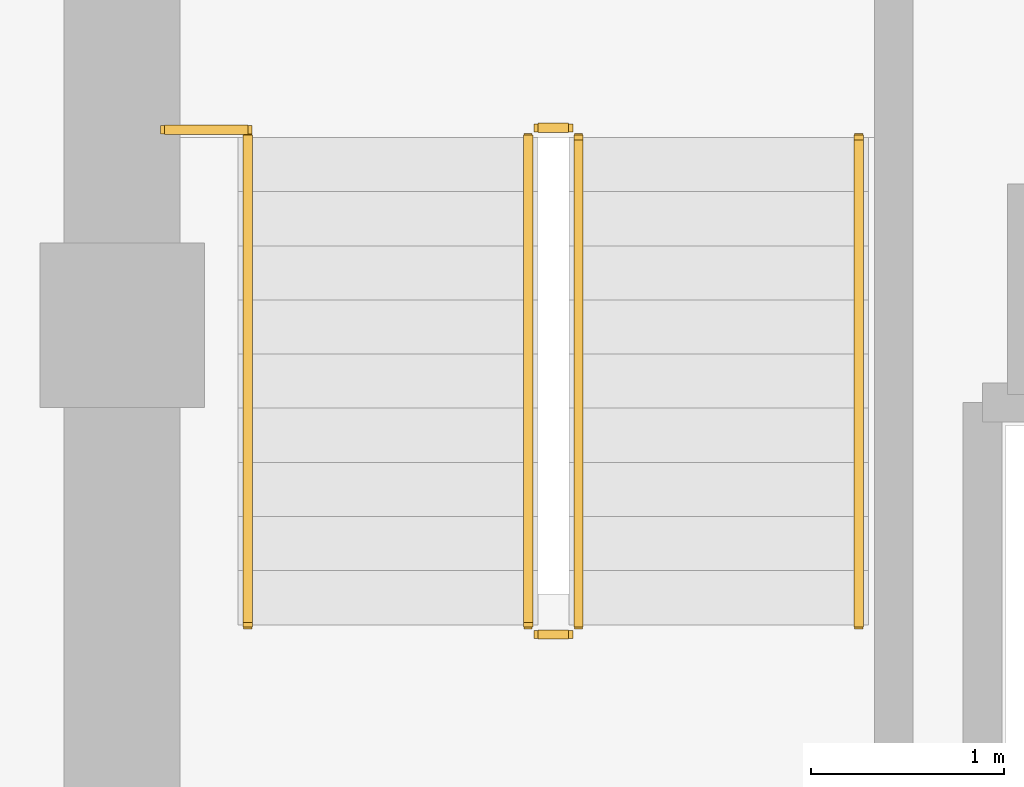
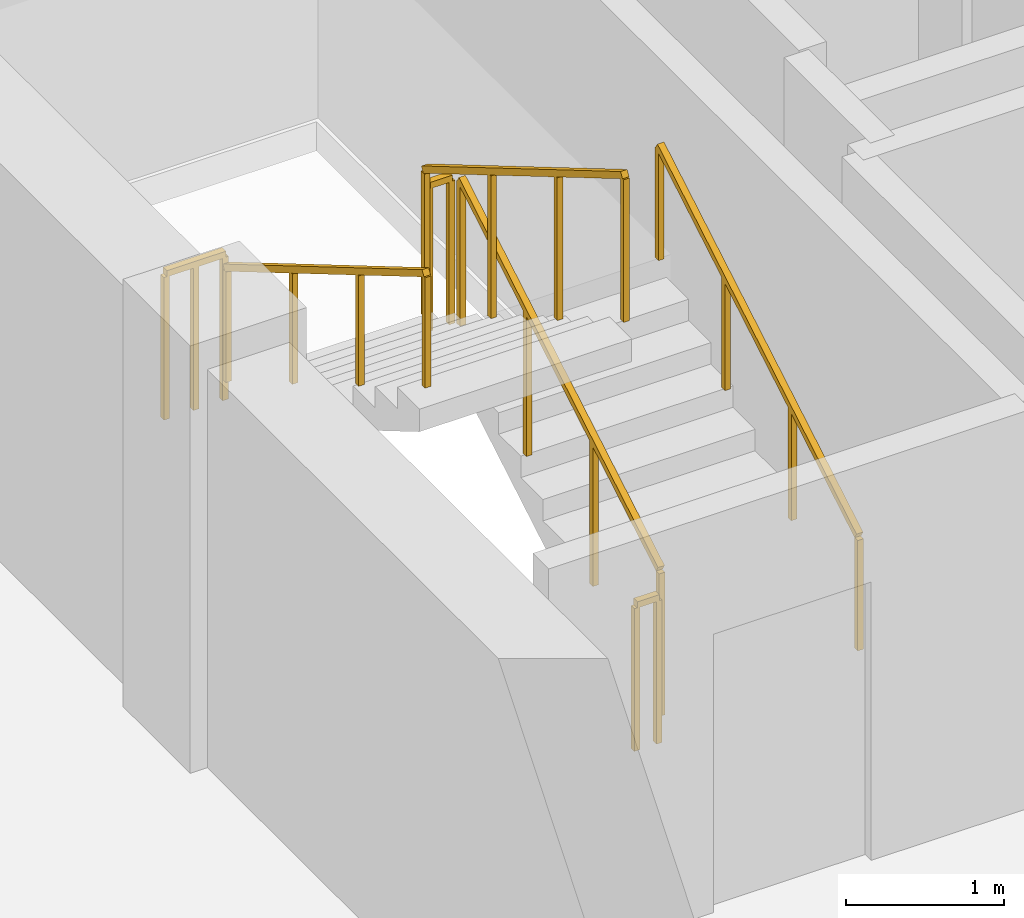
# One storey, part 27 of 29: 7 railings.
"""IFC4 building model written with IfcOpenShell, lengths in metres."""

import ifcopenshell
import ifcopenshell.guid

model = None  # the IFC model being written
_history = None  # IfcOwnerHistory: only IFC2X3 demands one
_inside = {}  # id of a spatial element -> (the spatial element, [elements in it])
_under = {}  # id of a project, library or spatial element -> (it, [spatial elements below it])
_declared = {}  # id of a project -> (the project, [libraries it declares])
_typed = {}  # id of a type object -> (the type object, [elements of that type])
_made_of = {}  # id of a material, layer set ... -> (it, [elements and type objects made of it])


def new_model(schema):
    """Start an empty IFC model of exactly this schema.

    Asked for "IFC4X3", IfcOpenShell would pick the latest addendum, in which some entities
    have other attributes; the version numbers below select the first issue.
    IFC2X3 requires an IfcOwnerHistory on every rooted entity: one is made here for all.
    """
    global model, _history
    if schema == "IFC4X3":
        model = ifcopenshell.file(schema_version=(4, 3, 0, 0))
    else:
        model = ifcopenshell.file(schema=schema)
    _inside.clear()
    _under.clear()
    _declared.clear()
    _typed.clear()
    _made_of.clear()
    _history = None
    if model.schema == "IFC2X3":
        org = make("IfcOrganization", Name="unknown")
        user = make(
            "IfcPersonAndOrganization",
            ThePerson=make("IfcPerson", FamilyName="unknown"),
            TheOrganization=org,
        )
        app = make(
            "IfcApplication",
            ApplicationDeveloper=org,
            Version="unknown",
            ApplicationFullName="unknown",
            ApplicationIdentifier="unknown",
        )
        _history = make(
            "IfcOwnerHistory",
            OwningUser=user,
            OwningApplication=app,
            ChangeAction="ADDED",
            CreationDate=0,
        )
    return model


def make(cls, **values):
    """One entity of the class cls with the attributes given. An attribute that is None is left unset."""
    return model.create_entity(
        cls, **{name: value for name, value in values.items() if value is not None}
    )


def rooted(cls, **values):
    """An entity with a GlobalId (a new one), such as an element, a storey or a relation."""
    return make(cls, GlobalId=ifcopenshell.guid.new(), OwnerHistory=_history, **values)


def si_unit(unit_type, name, prefix=None):
    """IfcSIUnit, for example si_unit("LENGTHUNIT", "METRE", prefix="MILLI")."""
    return make("IfcSIUnit", UnitType=unit_type, Prefix=prefix, Name=name)


def assignment(units):
    """IfcUnitAssignment: the units of a project."""
    return None if units is None else make("IfcUnitAssignment", Units=units)


def point(xyz):
    """IfcCartesianPoint."""
    return None if xyz is None else make("IfcCartesianPoint", Coordinates=xyz)


def direction(xyz):
    """IfcDirection."""
    return None if xyz is None else make("IfcDirection", DirectionRatios=xyz)


def frame(location, z_axis=None, x_axis=None):
    """IfcAxis2Placement3D, a coordinate frame: its origin and axes. An axis left out is left unset."""
    return make(
        "IfcAxis2Placement3D",
        Location=point(location),
        Axis=direction(z_axis),
        RefDirection=direction(x_axis),
    )


def frame_2d(location, x_axis=None):
    """IfcAxis2Placement2D, a coordinate frame in the plane: its origin and x axis."""
    return make(
        "IfcAxis2Placement2D", Location=point(location), RefDirection=direction(x_axis)
    )


def origin():
    """The frame at (0, 0, 0) with its axes left unset."""
    return frame((0.0, 0.0, 0.0))


def origin_2d():
    """The frame at (0, 0) in the plane with its x axis left unset."""
    return frame_2d((0.0, 0.0))


def place(relative_to, where):
    """IfcLocalPlacement: puts the frame where relative to a parent placement (None: the world)."""
    return make(
        "IfcLocalPlacement", PlacementRelTo=relative_to, RelativePlacement=where
    )


def context(
    kind, dimensions, precision=None, world=None, true_north=None, identifier=None
):
    """IfcGeometricRepresentationContext, for example the 3D "Model" context."""
    return make(
        "IfcGeometricRepresentationContext",
        ContextIdentifier=identifier,
        ContextType=kind,
        CoordinateSpaceDimension=dimensions,
        Precision=precision,
        WorldCoordinateSystem=world,
        TrueNorth=true_north,
    )


def subcontext(parent, identifier, kind, view, scale=None):
    """IfcGeometricRepresentationSubContext, for example "Body" below "Model"."""
    return make(
        "IfcGeometricRepresentationSubContext",
        ContextIdentifier=identifier,
        ContextType=kind,
        ParentContext=parent,
        TargetScale=scale,
        TargetView=view,
    )


def project(units=None, contexts=None):
    """IfcProject with its units and contexts."""
    return rooted(
        "IfcProject",
        Name="project",
        RepresentationContexts=contexts,
        UnitsInContext=assignment(units),
    )


def spatial(cls, under=None, at=None, **own):
    """A site, building, storey or space (cls), placed at a placement, below another one or the project."""
    s = rooted(cls, ObjectPlacement=at, **own)
    if under is not None:
        _under.setdefault(under.id(), (under, []))[1].append(s)
    return s


def profile(cls, at=None, kind="AREA", **sizes):
    """A parametric profile (cls). Its sizes go by their IFC names, for example OverallWidth=200.0."""
    return make(cls, ProfileType=kind, Position=at, **sizes)


def rectangle(**sizes):
    """IfcRectangleProfileDef."""
    return profile("IfcRectangleProfileDef", **sizes)


def extrude(swept, where, along, depth):
    """IfcExtrudedAreaSolid: the profile swept, set in the frame where, extruded along a direction by depth."""
    return make(
        "IfcExtrudedAreaSolid",
        SweptArea=swept,
        Position=where,
        ExtrudedDirection=direction(along),
        Depth=depth,
    )


def shape(context_of_items, identifier, shape_type, items):
    """IfcShapeRepresentation: the items that make up one representation, for example the "Body"."""
    return make(
        "IfcShapeRepresentation",
        ContextOfItems=context_of_items,
        RepresentationIdentifier=identifier,
        RepresentationType=shape_type,
        Items=items,
    )


def material(Name=None, Category=None):
    """IfcMaterial."""
    return make("IfcMaterial", Name=Name, Category=Category)


def made_of(thing, what):
    """Note that an element or type object is made of a material, layer set ...; save() writes the relation."""
    if what is not None:
        _made_of.setdefault(what.id(), (what, []))[1].append(thing)
    return thing


def type_object(cls, material=None, **own):
    """A type object (cls), such as IfcWallType, which elements share."""
    return made_of(rooted(cls, **own), material)


def element(
    cls,
    number,
    at=None,
    inside=None,
    cuts=None,
    type_object=None,
    material=None,
    context=None,
    identifier="Body",
    shape_type=None,
    held_by="IfcProductDefinitionShape",
    body=None,
    shapes=None,
    **own,
):
    """One element of the class cls, such as IfcWall. Its Tag is "e" and its number.

    at: its placement. inside: the storey or other place that contains it. cuts: it is an
    opening in that element (IfcRelVoidsElement). A single representation is given by context,
    identifier, shape_type and body (its items); several are given by shapes. held_by: the class
    of the entity that holds the representations. save() writes the other relations.
    """
    e = rooted(cls, Tag="e%d" % number, ObjectPlacement=at, **own)
    if body is not None:
        shapes = [shape(context, identifier, shape_type, body)]
    if shapes is not None:
        e.Representation = make(held_by, Representations=shapes)
    if inside is not None:
        _inside.setdefault(inside.id(), (inside, []))[1].append(e)
    if cuts is not None:
        rooted(
            "IfcRelVoidsElement", RelatingBuildingElement=cuts, RelatedOpeningElement=e
        )
    if type_object is not None:
        _typed.setdefault(type_object.id(), (type_object, []))[1].append(e)
    return made_of(e, material)


def aggregate(whole, parts):
    """IfcRelAggregates: a whole, such as a stair, and the parts it consists of."""
    return rooted("IfcRelAggregates", RelatingObject=whole, RelatedObjects=parts)


def save(model, path):
    """Write the relations noted so far, then the file.

    IfcRelAggregates (storeys below a building ...), IfcRelContainedInSpatialStructure (elements
    in a storey), IfcRelDefinesByType, IfcRelAssociatesMaterial and IfcRelDeclares: one each for
    every whole, place, type object, material and project.
    """
    for whole, parts in _under.values():
        aggregate(whole, parts)
    for where, things in _inside.values():
        rooted(
            "IfcRelContainedInSpatialStructure",
            RelatedElements=things,
            RelatingStructure=where,
        )
    for kind, things in _typed.values():
        rooted("IfcRelDefinesByType", RelatedObjects=things, RelatingType=kind)
    for what, things in _made_of.values():
        rooted("IfcRelAssociatesMaterial", RelatedObjects=things, RelatingMaterial=what)
    for by, libraries in _declared.values():
        rooted("IfcRelDeclares", RelatingContext=by, RelatedDefinitions=libraries)
    model.write(path)


model = new_model("IFC4")

# Units and contexts
model_context = context("Model", 3, precision=1e-05, world=origin(), true_north=direction((0.0, 1.0)))
body_context = subcontext(model_context, "Body", "Model", "MODEL_VIEW")
ifc_project = project(units=[si_unit("LENGTHUNIT", "METRE"), si_unit("AREAUNIT", "SQUARE_METRE"), si_unit("VOLUMEUNIT", "CUBIC_METRE"), si_unit("PLANEANGLEUNIT", "RADIAN"), si_unit("MASSUNIT", "GRAM", prefix="KILO")], contexts=[model_context])

# Site, building, storey
site_placement = place(None, origin())
site = spatial("IfcSite", under=ifc_project, at=site_placement, CompositionType="ELEMENT")
building_placement = place(site_placement, origin())
building = spatial("IfcBuilding", under=site, at=building_placement, Name="Zarnakvel Exchange Tower", CompositionType="ELEMENT")
storey_placement = place(building_placement, frame((0.0, 0.0, 258.39990234375)))
storey = spatial("IfcBuildingStorey", under=building, at=storey_placement, Name="L73", CompositionType="ELEMENT", Elevation=258.39990234375)

# Railings
ifc_material_1 = material(Name="Brushed Stainless Steel", Category="steel")
railing_type_1 = type_object("IfcRailingType", Name="HR-01", PredefinedType="HANDRAIL", material=ifc_material_1)
railing_1_placement = place(storey_placement, frame((-10.590087890625, 5.050048828125, 0.1650390625)))
element("IfcRailing", 1, at=railing_1_placement, inside=storey, type_object=railing_type_1, Name="L73 ST-01 stair handrail 1", PredefinedType="HANDRAIL", context=body_context, shape_type="SweptSolid", body=[
    extrude(rectangle(XDim=0.048095703125, YDim=0.048095703125, at=origin_2d()), frame((0.0, 0.0, 0.8759765625), z_axis=(0.0, 0.86152411907, 0.507716645641), x_axis=(-1.0, 0.0, 0.0)), (0.0, 0.0, 1.0), 2.925048828125),
    extrude(rectangle(XDim=0.0419921875, YDim=0.0419921875, at=origin_2d()), origin(), (0.0, 0.0, 1.0), 0.851806640625),
    extrude(rectangle(XDim=0.0419921875, YDim=0.0419921875, at=origin_2d()), frame((0.0, 0.840087890625, 0.4951171875)), (0.0, 0.0, 1.0), 0.851806640625),
    extrude(rectangle(XDim=0.0419921875, YDim=0.0419921875, at=origin_2d()), frame((0.0, 1.679931640625, 0.989990234375)), (0.0, 0.0, 1.0), 0.851806640625),
    extrude(rectangle(XDim=0.0419921875, YDim=0.0419921875, at=origin_2d()), frame((0.0, 2.52001953125, 1.485107421875)), (0.0, 0.0, 1.0), 0.851806640625),
])
railing_2_placement = place(storey_placement, frame((-13.75, 7.570068359375, 1.815185546875)))
element("IfcRailing", 2, at=railing_2_placement, inside=storey, type_object=railing_type_1, Name="L73 ST-01 stair handrail 2", PredefinedType="HANDRAIL", context=body_context, shape_type="SweptSolid", body=[
    extrude(rectangle(XDim=0.048095703125, YDim=0.048095703125, at=origin_2d()), frame((0.0, 0.0, 0.8759765625), z_axis=(0.0, -0.861560626758, 0.507654692109), x_axis=(1.0, 0.0, 0.0)), (0.0, 0.0, 1.0), 2.925048828125),
    extrude(rectangle(XDim=0.0419921875, YDim=0.0419921875, at=origin_2d()), origin(), (0.0, 0.0, 1.0), 0.851806640625),
    extrude(rectangle(XDim=0.0419921875, YDim=0.0419921875, at=origin_2d()), frame((0.0, -0.840087890625, 0.494873046875)), (0.0, 0.0, 1.0), 0.851806640625),
    extrude(rectangle(XDim=0.0419921875, YDim=0.0419921875, at=origin_2d()), frame((0.0, -1.679931640625, 0.989990234375)), (0.0, 0.0, 1.0), 0.851806640625),
    extrude(rectangle(XDim=0.0419921875, YDim=0.0419921875, at=origin_2d()), frame((0.0, -2.52001953125, 1.48486328125)), (0.0, 0.0, 1.0), 0.851806640625),
])
ifc_material_2 = material(Name="Architectural Bronze Anodised Aluminium", Category="aluminium")
railing_type_2 = type_object("IfcRailingType", Name="SG-01", PredefinedType="GUARDRAIL", material=ifc_material_2)
railing_3_placement = place(storey_placement, frame((-12.0400390625, 5.050048828125, 0.1650390625)))
element("IfcRailing", 3, at=railing_3_placement, inside=storey, type_object=railing_type_2, Name="L73 ST-01 stair guard 1", PredefinedType="GUARDRAIL", context=body_context, shape_type="SweptSolid", body=[
    extrude(rectangle(XDim=0.048095703125, YDim=0.048095703125, at=origin_2d()), frame((0.0, 0.0, 1.1259765625), z_axis=(0.0, 0.86152411907, 0.507716645641), x_axis=(-1.0, 0.0, 0.0)), (0.0, 0.0, 1.0), 2.925048828125),
    extrude(rectangle(XDim=0.0419921875, YDim=0.0419921875, at=origin_2d()), origin(), (0.0, 0.0, 1.0), 1.101806640625),
    extrude(rectangle(XDim=0.0419921875, YDim=0.0419921875, at=origin_2d()), frame((0.0, 0.840087890625, 0.4951171875)), (0.0, 0.0, 1.0), 1.101806640625),
    extrude(rectangle(XDim=0.0419921875, YDim=0.0419921875, at=origin_2d()), frame((0.0, 1.679931640625, 0.989990234375)), (0.0, 0.0, 1.0), 1.101806640625),
    extrude(rectangle(XDim=0.0419921875, YDim=0.0419921875, at=origin_2d()), frame((0.0, 2.52001953125, 1.485107421875)), (0.0, 0.0, 1.0), 1.101806640625),
])
railing_4_placement = place(storey_placement, frame((-12.090087890625, 7.6201171875, 1.650146484375)))
element("IfcRailing", 4, at=railing_4_placement, inside=storey, type_object=railing_type_2, Name="L73 ST-01 stair guard 2", PredefinedType="GUARDRAIL", context=body_context, shape_type="SweptSolid", body=[
    extrude(rectangle(XDim=0.048095703125, YDim=0.048095703125, at=origin_2d()), frame((0.0, 0.0, 1.1259765625), z_axis=(-1.0, 0.0, 0.0), x_axis=(0.0, -1.0, 0.0)), (0.0, 0.0, 1.0), 0.159912109375),
    extrude(rectangle(XDim=0.0419921875, YDim=0.0419921875, at=origin_2d()), origin(), (0.0, 0.0, 1.0), 1.101806640625),
    extrude(rectangle(XDim=0.0419921875, YDim=0.0419921875, at=origin_2d()), frame((-0.159912109375, 0.0, 0.0)), (0.0, 0.0, 1.0), 1.101806640625),
])
railing_5_placement = place(storey_placement, frame((-12.300048828125, 7.570068359375, 1.815185546875)))
element("IfcRailing", 5, at=railing_5_placement, inside=storey, type_object=railing_type_2, Name="L73 ST-01 stair guard 3", PredefinedType="GUARDRAIL", context=body_context, shape_type="SweptSolid", body=[
    extrude(rectangle(XDim=0.048095703125, YDim=0.048095703125, at=origin_2d()), frame((0.0, 0.0, 1.1259765625), z_axis=(0.0, -0.861560626758, 0.507654692109), x_axis=(1.0, 0.0, 0.0)), (0.0, 0.0, 1.0), 2.925048828125),
    extrude(rectangle(XDim=0.0419921875, YDim=0.0419921875, at=origin_2d()), origin(), (0.0, 0.0, 1.0), 1.101806640625),
    extrude(rectangle(XDim=0.0419921875, YDim=0.0419921875, at=origin_2d()), frame((0.0, -0.840087890625, 0.494873046875)), (0.0, 0.0, 1.0), 1.101806640625),
    extrude(rectangle(XDim=0.0419921875, YDim=0.0419921875, at=origin_2d()), frame((0.0, -1.679931640625, 0.989990234375)), (0.0, 0.0, 1.0), 1.101806640625),
    extrude(rectangle(XDim=0.0419921875, YDim=0.0419921875, at=origin_2d()), frame((0.0, -2.52001953125, 1.48486328125)), (0.0, 0.0, 1.0), 1.101806640625),
])
railing_6_placement = place(storey_placement, frame((-12.090087890625, 5.0, 0.0)))
element("IfcRailing", 6, at=railing_6_placement, inside=storey, type_object=railing_type_2, Name="L73 ST-01 stair guard 4", PredefinedType="GUARDRAIL", context=body_context, shape_type="SweptSolid", body=[
    extrude(rectangle(XDim=0.048095703125, YDim=0.048095703125, at=origin_2d()), frame((0.0, 0.0, 1.1259765625), z_axis=(-1.0, 0.0, 0.0), x_axis=(0.0, -1.0, 0.0)), (0.0, 0.0, 1.0), 0.159912109375),
    extrude(rectangle(XDim=0.0419921875, YDim=0.0419921875, at=origin_2d()), origin(), (0.0, 0.0, 1.0), 1.101806640625),
    extrude(rectangle(XDim=0.0419921875, YDim=0.0419921875, at=origin_2d()), frame((-0.159912109375, 0.0, 0.0)), (0.0, 0.0, 1.0), 1.101806640625),
])
railing_7_placement = place(storey_placement, frame((-14.179931640625, 7.610107421875, 1.650146484375)))
element("IfcRailing", 7, at=railing_7_placement, inside=storey, type_object=railing_type_2, Name="L73 ST-01 Landing Slot Guardrail", PredefinedType="GUARDRAIL", context=body_context, shape_type="SweptSolid", body=[
    extrude(rectangle(XDim=0.048095703125, YDim=0.048095703125, at=origin_2d()), frame((0.0, 0.0, 1.1259765625), z_axis=(1.0, 0.0, 0.0), x_axis=(0.0, 1.0, 0.0)), (0.0, 0.0, 1.0), 0.429931640625),
    extrude(rectangle(XDim=0.0419921875, YDim=0.0419921875, at=origin_2d()), origin(), (0.0, 0.0, 1.0), 1.101806640625),
    extrude(rectangle(XDim=0.0419921875, YDim=0.0419921875, at=origin_2d()), frame((0.21484375, 0.0, 0.0)), (0.0, 0.0, 1.0), 1.101806640625),
    extrude(rectangle(XDim=0.0419921875, YDim=0.0419921875, at=origin_2d()), frame((0.429931640625, 0.0, 0.0)), (0.0, 0.0, 1.0), 1.101806640625),
])

save(model, "model.ifc")
